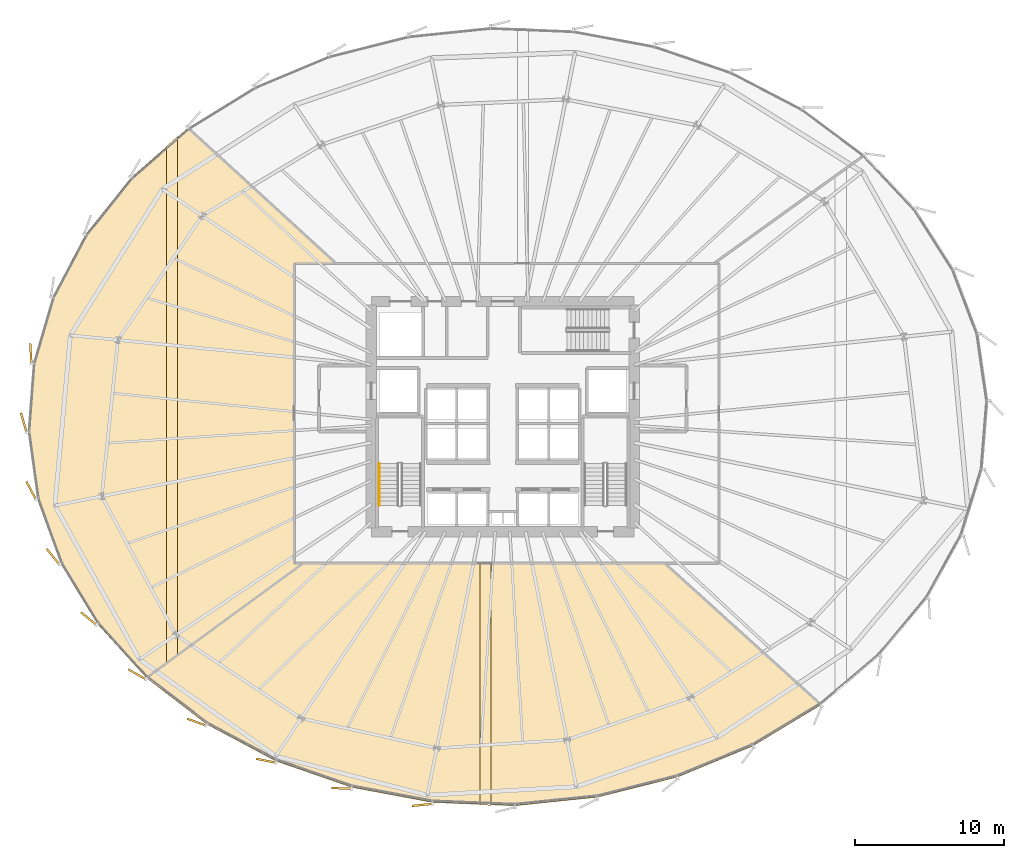
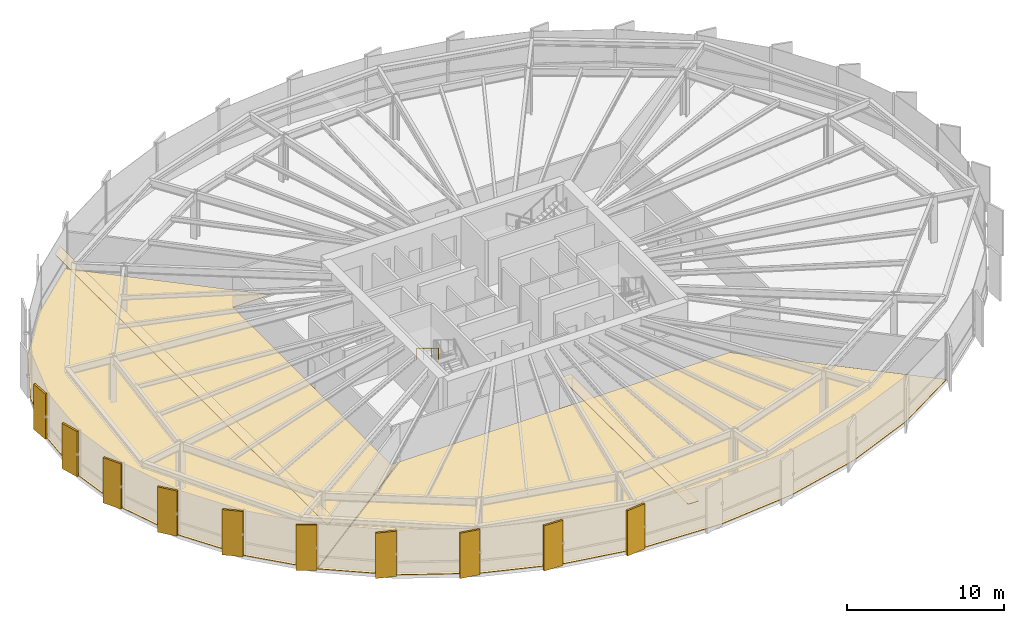
# One storey, part 37 of 42: 14 coverings, 1 railing.
"""IFC4 building model written with IfcOpenShell, lengths in metres."""

from ifc_helpers import new_model, si_unit, direction, frame, origin, origin_2d, place, context, subcontext, project, spatial, polyline, rectangle, circle, outline, extrude, source, transform, mapped, material, layer, layer_set, type_object, element, save


model = new_model("IFC4")

# Units and contexts
model_context = context("Model", 3, precision=1e-05, world=origin(), true_north=direction((0.0, 1.0)))
body_context = subcontext(model_context, "Body", "Model", "MODEL_VIEW")
ifc_project = project(units=[si_unit("LENGTHUNIT", "METRE"), si_unit("AREAUNIT", "SQUARE_METRE"), si_unit("VOLUMEUNIT", "CUBIC_METRE"), si_unit("PLANEANGLEUNIT", "RADIAN"), si_unit("MASSUNIT", "GRAM", prefix="KILO"), si_unit("THERMODYNAMICTEMPERATUREUNIT", "KELVIN")], contexts=[model_context])

# Site, building, storey
site_placement = place(None, origin())
site = spatial("IfcSite", under=ifc_project, at=site_placement, CompositionType="ELEMENT")
building_placement = place(site_placement, origin())
building = spatial("IfcBuilding", under=site, at=building_placement, Name="Kethvar Cultural Tower", CompositionType="ELEMENT")
storey_placement = place(building_placement, frame((0.0, 0.0, 37.199951171875)))
storey = spatial("IfcBuildingStorey", under=building, at=storey_placement, Name="L08", CompositionType="ELEMENT", Elevation=37.199951171875)

# Coverings
ifc_material_1 = material(Name="Acoustic Mineral Fibre Ceiling")
ifc_layer_1 = layer(ifc_material_1, 0.0400390625, Name="Acoustic Mineral Fibre Ceiling")
ifc_layer_set_1 = layer_set([ifc_layer_1], Name="Acoustic Mineral Fibre Ceiling (40 mm)")
covering_type_1 = type_object("IfcCoveringType", Name="CV-ACOUSTIC-CEIL", PredefinedType="CEILING", material=ifc_layer_set_1)
covering_1_placement = place(storey_placement, frame((0.0, 0.0, 2.340087890625)))
element("IfcCovering", 1, at=covering_1_placement, inside=storey, type_object=covering_type_1, Name="L08 Room 01 Acoustic Ceiling Panel", PredefinedType="CEILING", context=body_context, shape_type="SweptSolid", body=[
    extrude(outline(polyline([(45.27099609375, 1.8046875), (45.27099609375, 18.0), (46.02099609375, 18.0), (46.02099609375, 1.774658203125), (45.27099609375, 1.8046875)])), origin(), (0.0, 0.0, 1.0), 0.0400390625),
])
covering_2_placement = place(storey_placement, frame((0.0, 0.0, 2.340087890625)))
element("IfcCovering", 2, at=covering_2_placement, inside=storey, type_object=covering_type_1, Name="L08 Room 04 Acoustic Ceiling Panel", PredefinedType="CEILING", context=body_context, shape_type="SweptSolid", body=[
    extrude(outline(polyline([(25.03564453125, 46.547119140625), (25.03564453125, 11.774169921875), (24.28564453125, 11.222900390625), (24.28564453125, 45.8916015625), (25.03564453125, 46.547119140625)])), origin(), (0.0, 0.0, 1.0), 0.0400390625),
])
ifc_material_2 = material(Name="Architectural Oak Timber", Category="wood")
ifc_layer_2 = layer(ifc_material_2, 0.02490234375, Name="Architectural Oak Timber", Category="wood")
ifc_layer_set_2 = layer_set([ifc_layer_2], Name="Architectural Oak Timber (25 mm)")
covering_type_2 = type_object("IfcCoveringType", Name="CV-OAK-FLOOR", PredefinedType="FLOORING", material=ifc_layer_set_2)
covering_3_placement = place(storey_placement, origin())
element("IfcCovering", 3, at=covering_3_placement, inside=storey, type_object=covering_type_2, Name="L08 Room 01 Floor Finish", PredefinedType="FLOORING", context=body_context, shape_type="SweptSolid", body=[
    extrude(outline(polyline([(63.524658203125, 5.744384765625), (58.488037109375, 3.664794921875), (53.13427734375, 2.320068359375), (47.61865234375, 1.75048828125), (42.0869140625, 1.972900390625), (36.698486328125, 2.980224609375), (31.616943359375, 4.74169921875), (26.997314453125, 7.2041015625), (22.9990234375, 10.27685546875), (33.44970703125, 17.9599609375), (57.61865234375, 17.9599609375), (68.067138671875, 8.482421875), (63.524658203125, 5.744384765625)])), origin(), (0.0, 0.0, 1.0), 0.025146484375),
])
covering_4_placement = place(storey_placement, origin())
element("IfcCovering", 4, at=covering_4_placement, inside=storey, type_object=covering_type_2, Name="L08 Room 04 Floor Finish", PredefinedType="FLOORING", context=body_context, shape_type="SweptSolid", body=[
    extrude(outline(polyline([(19.685302734375, 13.911865234375), (17.215087890625, 17.953369140625), (15.64404296875, 22.293701171875), (15.019287109375, 26.80126953125), (15.359619140625, 31.339111328125), (16.6552734375, 35.76953125), (18.86669921875, 39.958251953125), (21.927001953125, 43.777587890625), (25.73095703125, 47.101318359375), (35.58642578125, 38.06005859375), (32.830078125, 38.0419921875), (32.830078125, 17.97998046875), (33.382080078125, 17.9599609375), (22.968505859375, 10.303955078125), (19.685302734375, 13.911865234375)])), origin(), (0.0, 0.0, 1.0), 0.025146484375),
])

# Railing
ifc_material_3 = material(Name="Steel S355J2", Category="steel")
railing_type = type_object("IfcRailingType", Name="RL-STAIR-HANDRAIL", PredefinedType="HANDRAIL", material=ifc_material_3)
railing_placement = place(storey_placement, frame((38.5400390625, 24.64990234375, 2.07275390625)))
element("IfcRailing", 5, at=railing_placement, inside=storey, type_object=railing_type, Name="L08 ST-01 stair handrail 2", PredefinedType="HANDRAIL", context=body_context, shape_type="SweptSolid", body=[
    extrude(circle(Radius=0.02392578125, at=origin_2d()), frame((0.0, 0.0, 0.8759765625), z_axis=(0.0, -0.851069175582, 0.525053576669), x_axis=(1.0, 0.0, 0.0)), (0.0, 0.0, 1.0), 3.289794921875),
    extrude(circle(Radius=0.02099609375, at=origin_2d()), origin(), (0.0, 0.0, 1.0), 0.851806640625),
    extrude(circle(Radius=0.02099609375, at=origin_2d()), frame((0.0, -0.933349609375, 0.57568359375)), (0.0, 0.0, 1.0), 0.851806640625),
    extrude(circle(Radius=0.02099609375, at=origin_2d()), frame((0.0, -1.866455078125, 1.151611328125)), (0.0, 0.0, 1.0), 0.851806640625),
    extrude(circle(Radius=0.02099609375, at=origin_2d()), frame((0.0, -2.7998046875, 1.727294921875)), (0.0, 0.0, 1.0), 0.851806640625),
])

# Coverings
ifc_material_4 = material(Name="Extruded Architectural Terracotta", Category="masonry")
ifc_layer_3 = layer(ifc_material_4, 0.135009765625, Name="Extruded Architectural Terracotta", Category="masonry")
ifc_layer_set_3 = layer_set([ifc_layer_3], Name="Extruded Architectural Terracotta (135 mm)")
covering_type_3 = type_object("IfcCoveringType", Name="Terracotta Facade Fin FIN-01", PredefinedType="CLADDING", material=ifc_layer_set_3)
shared_shape = source(origin(), body_context, "Body", "SweptSolid", [
    extrude(rectangle(XDim=1.35009765625, YDim=0.135009765625, at=origin_2d()), origin(), (0.0, 0.0, 1.0), 3.510009765625),
])
for number, where, z_axis, x_axis, name in (
    (6, (15.216552734375, 32.022216796875, 0.02001953125), (0.0, 0.0, 1.0), (-0.064706476401, 0.997904340061, 0.0), "L08 Vertical Terracotta Fin 3.6"),
    (7, (14.740966796875, 27.39697265625, 0.02001953125), (0.0, 0.0, 1.0), (-0.273791358997, 0.961789109805, 0.0), "L08 Vertical Terracotta Fin 4.1"),
    (8, (15.2333984375, 22.858154296875, 0.02001953125), (0.0, 0.0, 1.0), (-0.467929814261, 0.883765630089, 0.0), "L08 Vertical Terracotta Fin 4.2"),
    (9, (16.7001953125, 18.42431640625, 0.02001953125), (0.0, 0.0, 1.0), (-0.635135028529, 0.772401123468, 0.0), "L08 Vertical Terracotta Fin 4.3"),
    (10, (19.0908203125, 14.277099609375, 0.02001953125), (0.0, 0.0, 1.0), (-0.769399555047, 0.638767817516, 0.0), "L08 Vertical Terracotta Fin 4.4"),
    (11, (22.32958984375, 10.54638671875, 0.02001953125), (0.0, 0.0, 1.0), (-0.87001170737, 0.493031062956, 0.0), "L08 Vertical Terracotta Fin 4.5"),
    (12, (26.314697265625, 7.347900390625, 0.02001953125), (0.0, 0.0, 1.0), (-0.939333942951, 0.343003999424, 0.0), "L08 Vertical Terracotta Fin 4.6"),
    (13, (30.96044921875, 4.76416015625, 0.02001953125), (0.0, 0.0, 1.0), (-0.981225401366, 0.192864490548, 0.0), "L08 Vertical Terracotta Fin 5.1"),
    (14, (36.00439453125, 2.91259765625, 0.02001953125), (0.0, 0.0, 1.0), (-0.99897847191, 0.045188634183, 0.0), "L08 Vertical Terracotta Fin 5.2"),
    (15, (41.409912109375, 1.805908203125, 0.02001953125), (0.0, 0.0, 1.0), (-0.995055569961, -0.099319749744, 0.0), "L08 Vertical Terracotta Fin 5.3"),
):
    element("IfcCovering", number, at=place(storey_placement, frame(where, z_axis=z_axis, x_axis=x_axis)), inside=storey, type_object=covering_type_3, Name=name, PredefinedType="CLADDING", context=body_context, shape_type="MappedRepresentation", body=[
        mapped(shared_shape, transform((0.0, 0.0, 0.0), scale=1.0)),
    ])

save(model, "model.ifc")
